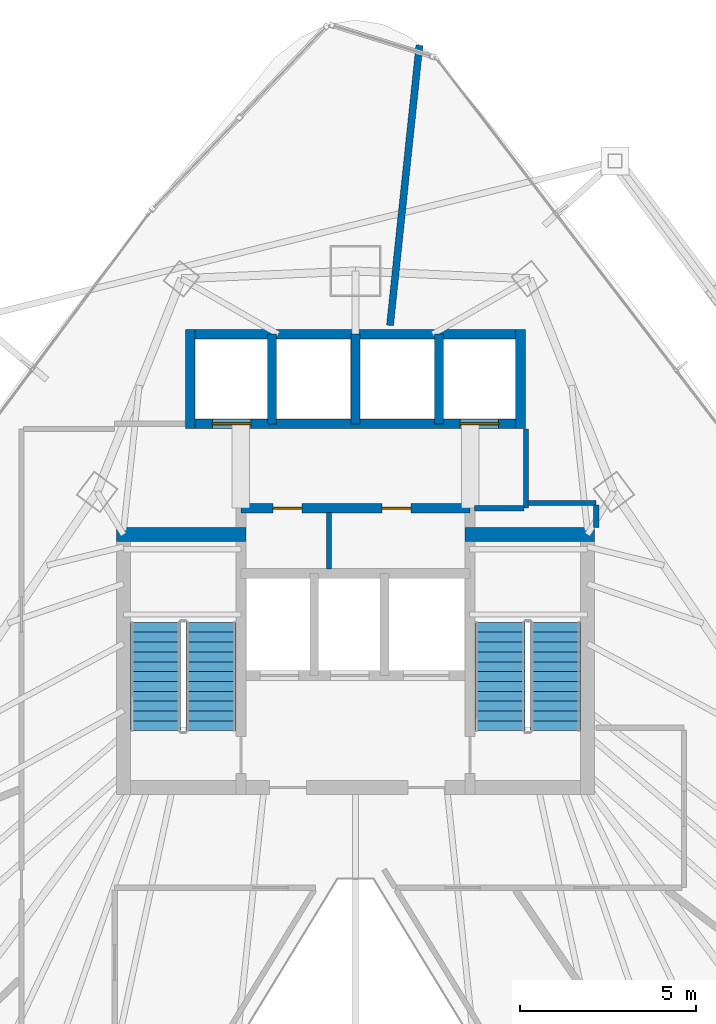
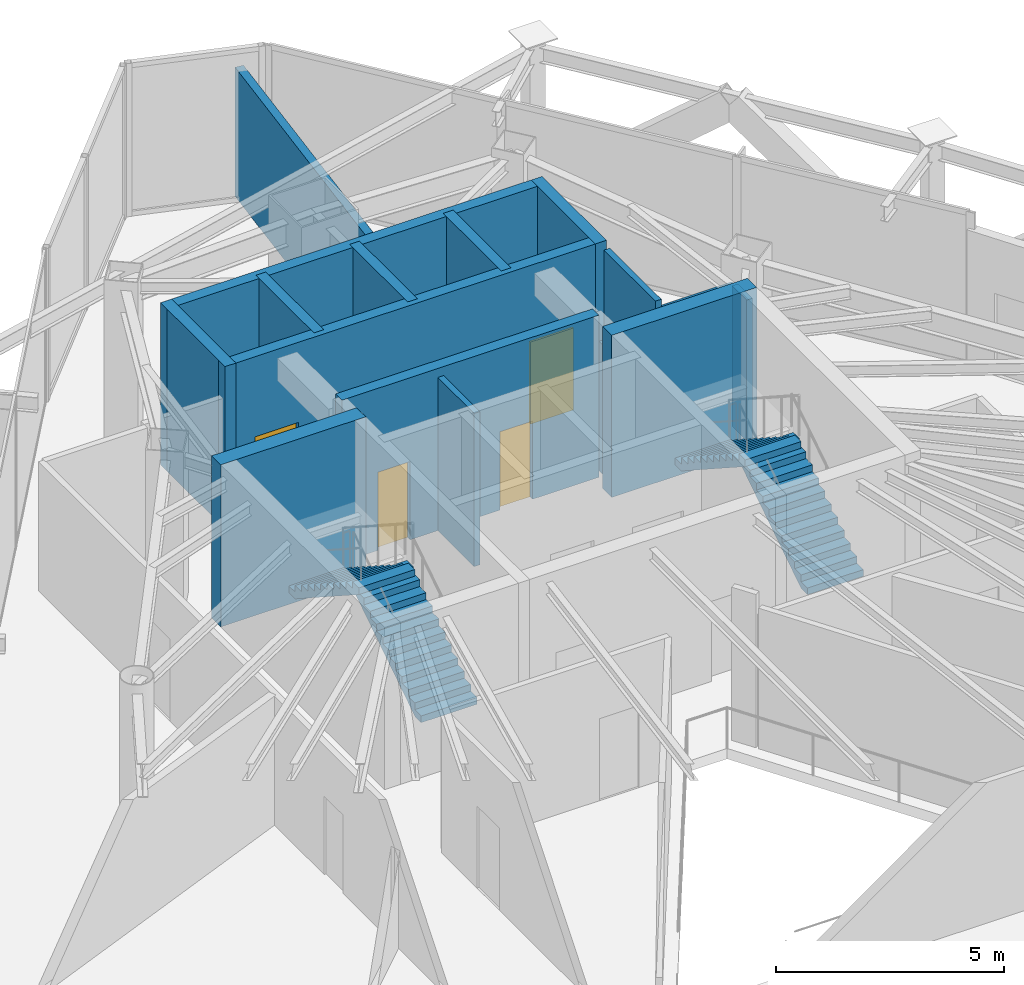
# One storey, part 25 of 28: 16 walls, 4 doors, 4 stair flights, 4 openings, 2 elements without a shape of their own.
"""IFC4 building model written with IfcOpenShell, lengths in metres."""

from ifc_helpers import new_model, si_unit, direction, frame, frame_2d, origin, place, context, subcontext, project, spatial, polyline, rectangle, outline, extrude, material, layer, layer_set, type_object, element, fill, aggregate, save


model = new_model("IFC4")

# Units and contexts
model_context = context("Model", 3, precision=1e-05, world=origin(), true_north=direction((0.0, 1.0)))
body_context = subcontext(model_context, "Body", "Model", "MODEL_VIEW")
ifc_project = project(units=[si_unit("LENGTHUNIT", "METRE"), si_unit("AREAUNIT", "SQUARE_METRE"), si_unit("VOLUMEUNIT", "CUBIC_METRE"), si_unit("PLANEANGLEUNIT", "RADIAN"), si_unit("MASSUNIT", "GRAM", prefix="KILO")], contexts=[model_context])

# Site, building, storey
site_placement = place(None, origin())
site = spatial("IfcSite", under=ifc_project, at=site_placement, CompositionType="ELEMENT")
building_placement = place(site_placement, origin())
building = spatial("IfcBuilding", under=site, at=building_placement, Name="Orvanel Arch Residences", CompositionType="ELEMENT")
storey_placement = place(building_placement, frame((0.0, 0.0, 146.300048828125)))
storey = spatial("IfcBuildingStorey", under=building, at=storey_placement, Name="L41", CompositionType="ELEMENT", Elevation=146.300048828125)

# Walls
ifc_material_1 = material(Name="Concrete N50 (50 MPa)", Category="concrete")
ifc_layer_1 = layer(ifc_material_1, 0.25)
ifc_layer_set_1 = layer_set([ifc_layer_1], Name="Concrete N50 (50 MPa)")
wall_type_1 = type_object("IfcWallType", Name="SW-CORE-250", PredefinedType="SHEAR", material=ifc_layer_set_1)
for number, where, z_axis, x_axis, name in (
    (1, (30.625, 37.050048828125, 0.0), (0.0, 0.0, 1.0), (0.0, 1.0, 0.0), "L41 Passenger Lift Inter-Shaft Wall P35"),
    (2, (33.0, 37.050048828125, 0.0), (0.0, 0.0, 1.0), (0.0, 1.0, 0.0), "L41 Passenger Lift Inter-Shaft Wall P56"),
    (3, (35.375, 37.050048828125, 0.0), (0.0, 0.0, 1.0), (0.0, 1.0, 0.0), "L41 Passenger Lift Inter-Shaft Wall P64"),
):
    element("IfcWall", number, at=place(storey_placement, frame(where, z_axis=z_axis, x_axis=x_axis)), inside=storey, type_object=wall_type_1, Name=name, PredefinedType="SHEAR", context=body_context, shape_type="SweptSolid", body=[
        extrude(rectangle(XDim=2.550048828125, YDim=0.25, at=frame_2d((1.27490234375, 0.0))), origin(), (0.0, 0.0, 1.0), 4.349853515625),
    ])

# Wall, openings, doors
ifc_material_2 = material(Name="Concrete S65 (65 MPa)", Category="concrete")
ifc_layer_2 = layer(ifc_material_2, 0.280029296875)
ifc_layer_set_2 = layer_set([ifc_layer_2], Name="Concrete S65 (65 MPa)")
wall_type_2 = type_object("IfcWallType", Name="SW-CORE-280", PredefinedType="SHEAR", material=ifc_layer_set_2)
wall_1_placement = place(storey_placement, frame((29.739990234375, 34.64990234375, 0.0), z_axis=(0.0, 0.0, 1.0), x_axis=(1.0, 0.0, 0.0)))
wall_1 = element("IfcWall", 4, at=wall_1_placement, inside=storey, type_object=wall_type_2, Name="L41 Core Service Band North Shear Wall", PredefinedType="SHEAR", context=body_context, shape_type="SweptSolid", body=[
    extrude(rectangle(XDim=6.52001953125, YDim=0.280029296875, at=frame_2d((3.260009765625, 0.0))), origin(), (0.0, 0.0, 1.0), 4.349853515625),
])
opening_1_placement = place(wall_1_placement, frame((0.9150390625, 0.0, 0.0)))
opening_1 = element("IfcOpeningElement", 5, at=opening_1_placement, cuts=wall_1, Name="Opening DS-082", PredefinedType="OPENING", context=body_context, shape_type="SweptSolid", body=[
    extrude(rectangle(XDim=0.820068359375, YDim=2.10009765625, at=frame_2d((0.41015625, 1.050048828125))), frame((0.0, 0.14990234375, 0.0), z_axis=(0.0, -1.0, 0.0), x_axis=(1.0, 0.0, 0.0)), (0.0, 0.0, 1.0), 0.300048828125),
])
opening_2_placement = place(wall_1_placement, frame((4.014892578125, 0.0, 0.0)))
opening_2 = element("IfcOpeningElement", 6, at=opening_2_placement, cuts=wall_1, Name="Opening DW-082", PredefinedType="OPENING", context=body_context, shape_type="SweptSolid", body=[
    extrude(rectangle(XDim=0.820068359375, YDim=2.10009765625, at=frame_2d((0.41015625, 1.050048828125))), frame((0.0, 0.14990234375, 0.0), z_axis=(0.0, -1.0, 0.0), x_axis=(1.0, 0.0, 0.0)), (0.0, 0.0, 1.0), 0.300048828125),
])
ifc_material_3 = material(Name="Galvanised steel fire-resisting door assembly", Category="steel")
door_type_1 = type_object("IfcDoorType", Name="DR-SVC-820", OperationType="NOTDEFINED", PredefinedType="DOOR", material=ifc_material_3)
door_1_placement = place(opening_1_placement, origin())
door_1 = element("IfcDoor", 7, at=door_1_placement, inside=storey, type_object=door_type_1, Name="DR-L41-CSVC-1 L41 Floor Cleaner's Store Door", OperationType="SINGLE_SWING_LEFT", OverallHeight=2.10009765625, OverallWidth=0.820068359375, PredefinedType="DOOR", context=body_context, shape_type="SweptSolid", body=[
    extrude(rectangle(XDim=0.820068359375, YDim=2.10009765625, at=frame_2d((0.41015625, 1.050048828125))), frame((0.0, 0.02490234375, 0.0), z_axis=(0.0, -1.0, 0.0), x_axis=(1.0, 0.0, 0.0)), (0.0, 0.0, 1.0), 0.050048828125),
])
fill(opening_1, door_1)
ifc_material_4 = material(Name="Solid-core European oak veneer fire door leaf", Category="wood")
door_type_2 = type_object("IfcDoorType", Name="DR-WET-820", OperationType="NOTDEFINED", PredefinedType="DOOR", material=ifc_material_4)
door_2_placement = place(opening_2_placement, origin())
door_2 = element("IfcDoor", 8, at=door_2_placement, inside=storey, type_object=door_type_2, Name="DR-L41-CSVC-2 L41 Core Accessible WC Door", OperationType="SINGLE_SWING_LEFT", OverallHeight=2.10009765625, OverallWidth=0.820068359375, PredefinedType="DOOR", context=body_context, shape_type="SweptSolid", body=[
    extrude(rectangle(XDim=0.820068359375, YDim=2.10009765625, at=frame_2d((0.41015625, 1.050048828125))), frame((0.0, 0.02490234375, 0.0), z_axis=(0.0, -1.0, 0.0), x_axis=(1.0, 0.0, 0.0)), (0.0, 0.0, 1.0), 0.050048828125),
])
fill(opening_2, door_2)

wall_2_placement = place(storey_placement, frame((37.840087890625, 37.050048828125, 0.0), z_axis=(0.0, 0.0, 1.0), x_axis=(-1.0, 0.0, 0.0)))
wall_2 = element("IfcWall", 9, at=wall_2_placement, inside=storey, type_object=wall_type_2, Name="L41 Passenger Lift Bank Front Shear Wall", PredefinedType="SHEAR", context=body_context, shape_type="SweptSolid", body=[
    extrude(rectangle(XDim=9.68017578125, YDim=0.280029296875, at=frame_2d((4.840087890625, 0.0))), origin(), (0.0, 0.0, 1.0), 4.349853515625),
])
opening_3_placement = place(wall_2_placement, frame((7.81494140625, 0.0, 0.0)))
opening_3 = element("IfcOpeningElement", 10, at=opening_3_placement, cuts=wall_2, Name="Opening LD-110", PredefinedType="OPENING", context=body_context, shape_type="SweptSolid", body=[
    extrude(rectangle(XDim=1.10009765625, YDim=2.199951171875, at=frame_2d((0.550048828125, 1.10009765625))), frame((0.0, 0.14990234375, 0.0), z_axis=(0.0, -1.0, 0.0), x_axis=(1.0, 0.0, 0.0)), (0.0, 0.0, 1.0), 0.300048828125),
])
opening_4_placement = place(wall_2_placement, frame((0.764892578125, 0.0, 0.0)))
opening_4 = element("IfcOpeningElement", 11, at=opening_4_placement, cuts=wall_2, Name="Opening LD-110", PredefinedType="OPENING", context=body_context, shape_type="SweptSolid", body=[
    extrude(rectangle(XDim=1.10009765625, YDim=2.199951171875, at=frame_2d((0.550048828125, 1.10009765625))), frame((0.0, 0.14990234375, 0.0), z_axis=(0.0, -1.0, 0.0), x_axis=(1.0, 0.0, 0.0)), (0.0, 0.0, 1.0), 0.300048828125),
])
door_type_3 = type_object("IfcDoorType", Name="DR-LFT-1100", OperationType="NOTDEFINED", PredefinedType="DOOR", material=ifc_material_3)
door_3_placement = place(opening_3_placement, origin())
door_3 = element("IfcDoor", 12, at=door_3_placement, inside=storey, type_object=door_type_3, Name="LD-P3-L41 L41 Passenger Lift P3 Sliding Landing Door", OperationType="DOUBLE_DOOR_SLIDING", OverallHeight=2.199951171875, OverallWidth=1.10009765625, PredefinedType="DOOR", context=body_context, shape_type="SweptSolid", body=[
    extrude(rectangle(XDim=1.10009765625, YDim=2.199951171875, at=frame_2d((0.550048828125, 1.10009765625))), frame((0.0, 0.02490234375, 0.0), z_axis=(0.0, -1.0, 0.0), x_axis=(1.0, 0.0, 0.0)), (0.0, 0.0, 1.0), 0.050048828125),
])
fill(opening_3, door_3)
door_4_placement = place(opening_4_placement, origin())
door_4 = element("IfcDoor", 13, at=door_4_placement, inside=storey, type_object=door_type_3, Name="LD-P4-L41 L41 Passenger Lift P4 Sliding Landing Door", OperationType="DOUBLE_DOOR_SLIDING", OverallHeight=2.199951171875, OverallWidth=1.10009765625, PredefinedType="DOOR", context=body_context, shape_type="SweptSolid", body=[
    extrude(rectangle(XDim=1.10009765625, YDim=2.199951171875, at=frame_2d((0.550048828125, 1.10009765625))), frame((0.0, 0.02490234375, 0.0), z_axis=(0.0, -1.0, 0.0), x_axis=(1.0, 0.0, 0.0)), (0.0, 0.0, 1.0), 0.050048828125),
])
fill(opening_4, door_4)

# Walls
wall_3_placement = place(storey_placement, frame((28.159912109375, 39.60009765625, 0.0), z_axis=(0.0, 0.0, 1.0), x_axis=(1.0, 0.0, 0.0)))
element("IfcWall", 14, at=wall_3_placement, inside=storey, type_object=wall_type_2, Name="L41 Passenger Lift Bank North Shear Wall", PredefinedType="SHEAR", context=body_context, shape_type="SweptSolid", body=[
    extrude(rectangle(XDim=9.68017578125, YDim=0.280029296875, at=frame_2d((4.840087890625, 0.0))), origin(), (0.0, 0.0, 1.0), 4.349853515625),
])
for number, where, z_axis, x_axis, name in (
    (15, (28.300048828125, 36.909912109375, 0.0), (0.0, 0.0, 1.0), (0.0, 1.0, 0.0), "L41 Passenger Lift Bank West Shear Wall"),
    (16, (37.699951171875, 36.909912109375, 0.0), (0.0, 0.0, 1.0), (0.0, 1.0, 0.0), "L41 Passenger Lift Bank East Shear Wall"),
):
    element("IfcWall", number, at=place(storey_placement, frame(where, z_axis=z_axis, x_axis=x_axis)), inside=storey, type_object=wall_type_2, Name=name, PredefinedType="SHEAR", context=body_context, shape_type="SweptSolid", body=[
        extrude(rectangle(XDim=2.830078125, YDim=0.280029296875, at=frame_2d((1.4150390625, 0.0))), origin(), (0.0, 0.0, 1.0), 4.349853515625),
    ])
ifc_layer_3 = layer(ifc_material_2, 0.39990234375)
ifc_layer_set_3 = layer_set([ifc_layer_3], Name="Concrete S65 (65 MPa)")
wall_type_3 = type_object("IfcWallType", Name="SW-CORE-400", PredefinedType="SHEAR", material=ifc_layer_set_3)
for number, where, z_axis, x_axis, name in (
    (17, (26.199951171875, 33.89990234375, 0.0), (0.0, 0.0, 1.0), (1.0, 0.0, 0.0), "L41 West Stair North Shear Wall"),
    (18, (36.1201171875, 33.89990234375, 0.0), (0.0, 0.0, 1.0), (1.0, 0.0, 0.0), "L41 East Stair North Shear Wall"),
):
    element("IfcWall", number, at=place(storey_placement, frame(where, z_axis=z_axis, x_axis=x_axis)), inside=storey, type_object=wall_type_3, Name=name, PredefinedType="SHEAR", context=body_context, shape_type="SweptSolid", body=[
        extrude(rectangle(XDim=3.679931640625, YDim=0.39990234375, at=frame_2d((1.83984375, 0.0))), origin(), (0.0, 0.0, 1.0), 4.349853515625),
    ])
ifc_material_5 = material(Name="Fire-rated plasterboard lined steel stud partition", Category="steel")
ifc_layer_4 = layer(ifc_material_5, 0.14990234375)
ifc_layer_set_4 = layer_set([ifc_layer_4], Name="Fire-rated plasterboard lined steel stud partition")
wall_type_4 = type_object("IfcWallType", Name="W-COR-150", PredefinedType="PARTITIONING", material=ifc_layer_set_4)
wall_4_placement = place(storey_placement, frame((37.85009765625, 34.64990234375, 0.0), z_axis=(0.0, 0.0, 1.0), x_axis=(0.0, 1.0, 0.0)))
element("IfcWall", 19, at=wall_4_placement, inside=storey, type_object=wall_type_4, Name="L41 Passenger Lift Lobby East Closure Wall", PredefinedType="PARTITIONING", context=body_context, shape_type="SweptSolid", body=[
    extrude(rectangle(XDim=2.260009765625, YDim=0.14990234375, at=frame_2d((1.1298828125, 0.0))), origin(), (0.0, 0.0, 1.0), 4.10986328125),
])
wall_5_placement = place(storey_placement, frame((36.385009765625, 34.64990234375, 0.0), z_axis=(0.0, 0.0, 1.0), x_axis=(1.0, 0.0, 0.0)))
element("IfcWall", 20, at=wall_5_placement, inside=storey, type_object=wall_type_4, Name="L41 Passenger Lift Lobby South-East Wall", PredefinedType="PARTITIONING", context=body_context, shape_type="SweptSolid", body=[
    extrude(rectangle(XDim=1.405029296875, YDim=0.14990234375, at=frame_2d((0.70263671875, 0.0))), origin(), (0.0, 0.0, 1.0), 3.474853515625),
])
wall_6_placement = place(storey_placement, frame((37.909912109375, 34.800048828125, 0.0), z_axis=(0.0, 0.0, 1.0), x_axis=(1.0, 0.0, 0.0)))
element("IfcWall", 21, at=wall_6_placement, inside=storey, type_object=wall_type_4, Name="L41 Core Perimeter Wall", PredefinedType="PARTITIONING", context=body_context, shape_type="SweptSolid", body=[
    extrude(rectangle(XDim=1.940185546875, YDim=0.14990234375, at=frame_2d((0.97021484375, 0.0))), origin(), (0.0, 0.0, 1.0), 3.77099609375),
])
wall_7_placement = place(storey_placement, frame((39.85009765625, 34.739990234375, 0.0), z_axis=(0.0, 0.0, 1.0), x_axis=(0.0, -1.0, 0.0)))
element("IfcWall", 22, at=wall_7_placement, inside=storey, type_object=wall_type_4, Name="L41 Core Perimeter Wall", PredefinedType="PARTITIONING", context=body_context, shape_type="SweptSolid", body=[
    extrude(rectangle(XDim=0.639892578125, YDim=0.14990234375, at=frame_2d((0.31982421875, 0.0))), origin(), (0.0, 0.0, 1.0), 3.77099609375),
])
ifc_layer_5 = layer(ifc_material_5, 0.199951171875)
ifc_layer_set_5 = layer_set([ifc_layer_5], Name="Fire-rated plasterboard lined steel stud partition")
wall_type_5 = type_object("IfcWallType", Name="W-DEM-200", PredefinedType="PARTITIONING", material=ifc_layer_set_5)
wall_8_placement = place(storey_placement, frame((33.98291015625, 39.85009765625, 0.0), z_axis=(0.0, 0.0, 1.0), x_axis=(0.104464349178, 0.994528631941, 0.0)))
element("IfcWall", 23, at=wall_8_placement, inside=storey, type_object=wall_type_5, Name="L41 Amenity Wall", PredefinedType="PARTITIONING", context=body_context, shape_type="SweptSolid", body=[
    extrude(rectangle(XDim=8.013916015625, YDim=0.199951171875, at=frame_2d((4.0068359375, 0.0))), origin(), (0.0, 0.0, 1.0), 3.462890625),
])
ifc_layer_6 = layer(ifc_material_5, 0.14990234375)
ifc_layer_set_6 = layer_set([ifc_layer_6], Name="Fire-rated plasterboard lined steel stud partition")
wall_type_6 = type_object("IfcWallType", Name="W-ST-150", PredefinedType="PARTITIONING", material=ifc_layer_set_6)
wall_9_placement = place(storey_placement, frame((32.25, 32.9150390625, 0.0), z_axis=(0.0, 0.0, 1.0), x_axis=(0.0, 1.0, 0.0)))
element("IfcWall", 24, at=wall_9_placement, inside=storey, type_object=wall_type_6, Name="L41 Core Service Partition 1", PredefinedType="PARTITIONING", context=body_context, shape_type="SweptSolid", body=[
    extrude(rectangle(XDim=1.60986328125, YDim=0.14990234375, at=frame_2d((0.804931640625, 0.0))), origin(), (0.0, 0.0, 1.0), 4.10986328125),
])

# Stair, stair flights
ifc_material_6 = material(Name="Precast concrete N50 (50 MPa)", Category="concrete")
stair_type = type_object("IfcStairType", Name="STR-DOG-181", PredefinedType="USERDEFINED", material=ifc_material_6)
stair_1_placement = place(storey_placement, origin())
stair_1 = element("IfcStair", 25, at=stair_1_placement, inside=storey, type_object=stair_type, Name="L41 Fire-Isolated Core Exit Stair 1", ObjectType="TWO_RETURN_STAIR", PredefinedType="USERDEFINED")
stair_flight_type_1 = type_object("IfcStairFlightType", Name="SFL-C1-181", PredefinedType="STRAIGHT", material=ifc_material_6)
stair_flight_1_placement = place(storey_placement, frame((28.889892578125, 28.320068359375, 0.0), z_axis=(0.0, 0.0, 1.0), x_axis=(0.0, 1.0, 0.0)))
stair_flight_1 = element("IfcStairFlight", 26, at=stair_flight_1_placement, type_object=stair_flight_type_1, Name="ST-1 flight 1", NumberOfRisers=12, NumberOfTreads=11, PredefinedType="STRAIGHT", RiserHeight=0.18125, TreadLength=0.28, context=body_context, shape_type="SweptSolid", body=[
    extrude(outline(polyline([(0.0, 0.0), (0.0, 0.18115234375), (0.280029296875, 0.18115234375), (0.280029296875, 0.362548828125), (0.56005859375, 0.362548828125), (0.56005859375, 0.543701171875), (0.840087890625, 0.543701171875), (0.840087890625, 0.72509765625), (1.1201171875, 0.72509765625), (1.1201171875, 0.90625), (1.39990234375, 0.90625), (1.39990234375, 1.08740234375), (1.679931640625, 1.08740234375), (1.679931640625, 1.268798828125), (1.9599609375, 1.268798828125), (1.9599609375, 1.449951171875), (2.239990234375, 1.449951171875), (2.239990234375, 1.63134765625), (2.52001953125, 1.63134765625), (2.52001953125, 1.8125), (2.800048828125, 1.8125), (2.800048828125, 1.99365234375), (3.080078125, 1.99365234375), (3.080078125, 2.175048828125), (3.080078125, 1.815185546875), (0.27587890625, 0.0), (0.0, 0.0)])), frame((0.0, 0.7099609375, 0.0), z_axis=(0.0, -1.0, 0.0), x_axis=(1.0, 0.0, 0.0)), (0.0, 0.0, 1.0), 1.419921875),
])
stair_flight_2_placement = place(storey_placement, frame((27.31005859375, 31.39990234375, 2.175048828125), z_axis=(0.0, 0.0, 1.0), x_axis=(0.0, -1.0, 0.0)))
stair_flight_2 = element("IfcStairFlight", 27, at=stair_flight_2_placement, type_object=stair_flight_type_1, Name="ST-1 flight 2", NumberOfRisers=12, NumberOfTreads=11, PredefinedType="STRAIGHT", RiserHeight=0.18125, TreadLength=0.28, context=body_context, shape_type="SweptSolid", body=[
    extrude(outline(polyline([(0.0, 0.0), (0.0, 0.18115234375), (0.280029296875, 0.18115234375), (0.280029296875, 0.362548828125), (0.56005859375, 0.362548828125), (0.56005859375, 0.543701171875), (0.840087890625, 0.543701171875), (0.840087890625, 0.72509765625), (1.1201171875, 0.72509765625), (1.1201171875, 0.90625), (1.39990234375, 0.90625), (1.39990234375, 1.08740234375), (1.679931640625, 1.08740234375), (1.679931640625, 1.268798828125), (1.9599609375, 1.268798828125), (1.9599609375, 1.449951171875), (2.239990234375, 1.449951171875), (2.239990234375, 1.63134765625), (2.52001953125, 1.63134765625), (2.52001953125, 1.8125), (2.800048828125, 1.8125), (2.800048828125, 1.99365234375), (3.080078125, 1.99365234375), (3.080078125, 2.175048828125), (3.080078125, 1.815185546875), (0.27587890625, 0.0), (0.0, 0.0)])), frame((0.0, 0.7099609375, 0.0), z_axis=(0.0, -1.0, 0.0), x_axis=(1.0, 0.0, 0.0)), (0.0, 0.0, 1.0), 1.419921875),
])
aggregate(stair_1, [stair_flight_1, stair_flight_2])

stair_2_placement = place(storey_placement, origin())
stair_2 = element("IfcStair", 28, at=stair_2_placement, inside=storey, type_object=stair_type, Name="L41 Fire-Isolated Core Exit Stair 2", ObjectType="TWO_RETURN_STAIR", PredefinedType="USERDEFINED")
stair_flight_type_2 = type_object("IfcStairFlightType", Name="SFL-C2-181", PredefinedType="STRAIGHT", material=ifc_material_6)
stair_flight_3_placement = place(storey_placement, frame((38.68994140625, 28.320068359375, 0.0), z_axis=(0.0, 0.0, 1.0), x_axis=(0.0, 1.0, 0.0)))
stair_flight_3 = element("IfcStairFlight", 29, at=stair_flight_3_placement, type_object=stair_flight_type_2, Name="ST-2 flight 1", NumberOfRisers=12, NumberOfTreads=11, PredefinedType="STRAIGHT", RiserHeight=0.18125, TreadLength=0.28, context=body_context, shape_type="SweptSolid", body=[
    extrude(outline(polyline([(0.0, 0.0), (0.0, 0.18115234375), (0.280029296875, 0.18115234375), (0.280029296875, 0.362548828125), (0.56005859375, 0.362548828125), (0.56005859375, 0.543701171875), (0.840087890625, 0.543701171875), (0.840087890625, 0.72509765625), (1.1201171875, 0.72509765625), (1.1201171875, 0.90625), (1.39990234375, 0.90625), (1.39990234375, 1.08740234375), (1.679931640625, 1.08740234375), (1.679931640625, 1.268798828125), (1.9599609375, 1.268798828125), (1.9599609375, 1.449951171875), (2.239990234375, 1.449951171875), (2.239990234375, 1.63134765625), (2.52001953125, 1.63134765625), (2.52001953125, 1.8125), (2.800048828125, 1.8125), (2.800048828125, 1.99365234375), (3.080078125, 1.99365234375), (3.080078125, 2.175048828125), (3.080078125, 1.815185546875), (0.27587890625, 0.0), (0.0, 0.0)])), frame((0.0, 0.7099609375, 0.0), z_axis=(0.0, -1.0, 0.0), x_axis=(1.0, 0.0, 0.0)), (0.0, 0.0, 1.0), 1.419921875),
])
stair_flight_4_placement = place(storey_placement, frame((37.110107421875, 31.39990234375, 2.175048828125), z_axis=(0.0, 0.0, 1.0), x_axis=(0.0, -1.0, 0.0)))
stair_flight_4 = element("IfcStairFlight", 30, at=stair_flight_4_placement, type_object=stair_flight_type_2, Name="ST-2 flight 2", NumberOfRisers=12, NumberOfTreads=11, PredefinedType="STRAIGHT", RiserHeight=0.18125, TreadLength=0.28, context=body_context, shape_type="SweptSolid", body=[
    extrude(outline(polyline([(0.0, 0.0), (0.0, 0.18115234375), (0.280029296875, 0.18115234375), (0.280029296875, 0.362548828125), (0.56005859375, 0.362548828125), (0.56005859375, 0.543701171875), (0.840087890625, 0.543701171875), (0.840087890625, 0.72509765625), (1.1201171875, 0.72509765625), (1.1201171875, 0.90625), (1.39990234375, 0.90625), (1.39990234375, 1.08740234375), (1.679931640625, 1.08740234375), (1.679931640625, 1.268798828125), (1.9599609375, 1.268798828125), (1.9599609375, 1.449951171875), (2.239990234375, 1.449951171875), (2.239990234375, 1.63134765625), (2.52001953125, 1.63134765625), (2.52001953125, 1.8125), (2.800048828125, 1.8125), (2.800048828125, 1.99365234375), (3.080078125, 1.99365234375), (3.080078125, 2.175048828125), (3.080078125, 1.815185546875), (0.27587890625, 0.0), (0.0, 0.0)])), frame((0.0, 0.7099609375, 0.0), z_axis=(0.0, -1.0, 0.0), x_axis=(1.0, 0.0, 0.0)), (0.0, 0.0, 1.0), 1.419921875),
])
aggregate(stair_2, [stair_flight_3, stair_flight_4])

save(model, "model.ifc")
